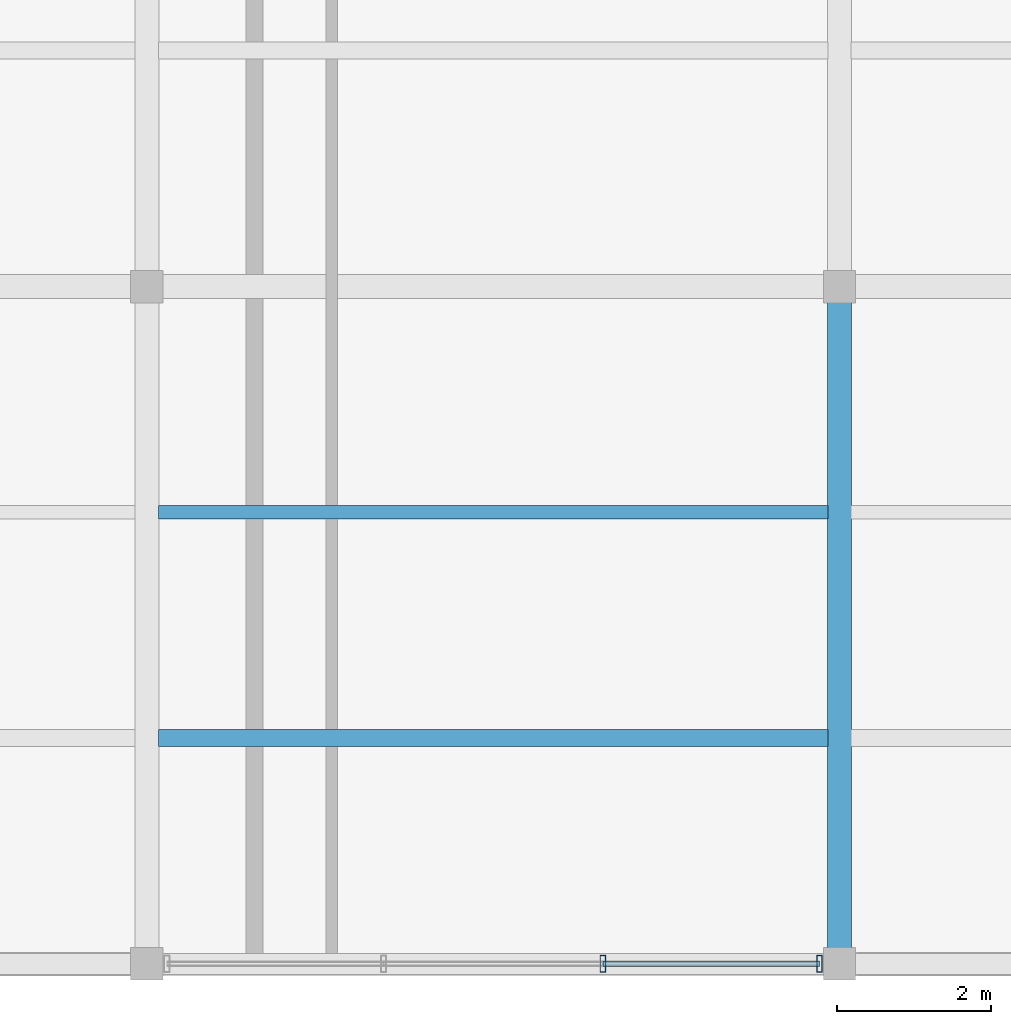
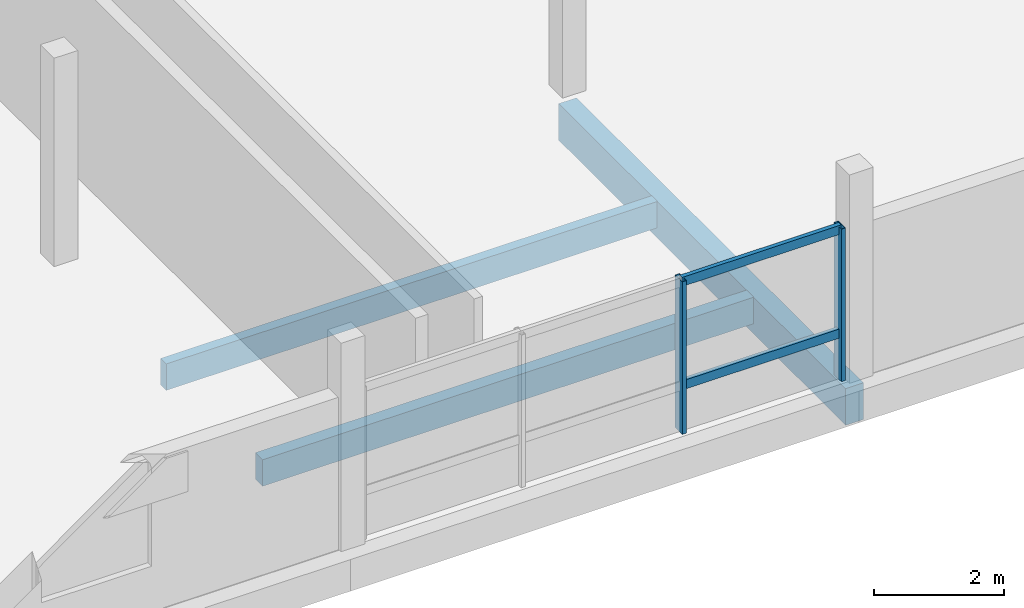
# One storey, part 10 of 47: 4 members, 3 beams, 1 element without a shape of its own.
"""IFC4 building model written with IfcOpenShell, lengths in metres."""

from ifc_helpers import new_model, si_unit, direction, frame, origin, origin_2d, place, context, subcontext, project, spatial, rectangle, hollow_rectangle, extrude, material, layer, layer_set, material_profile, profile_set, type_object, element, aggregate, save


model = new_model("IFC4")

# Units and contexts
model_context = context("Model", 3, precision=1e-05, world=origin(), true_north=direction((0.0, 1.0)))
body_context = subcontext(model_context, "Body", "Model", "MODEL_VIEW")
ifc_project = project(units=[si_unit("LENGTHUNIT", "METRE"), si_unit("AREAUNIT", "SQUARE_METRE"), si_unit("VOLUMEUNIT", "CUBIC_METRE"), si_unit("PLANEANGLEUNIT", "RADIAN"), si_unit("MASSUNIT", "GRAM", prefix="KILO")], contexts=[model_context])

# Site, building, storey
site_placement = place(None, origin())
site = spatial("IfcSite", under=ifc_project, at=site_placement, CompositionType="ELEMENT")
building_placement = place(site_placement, origin())
building = spatial("IfcBuilding", under=site, at=building_placement, Name="Meriwether Solvik Hall", CompositionType="ELEMENT")
storey_placement = place(building_placement, frame((0.0, 0.0, 18.300048828125)))
storey = spatial("IfcBuildingStorey", under=building, at=storey_placement, Name="L04", CompositionType="ELEMENT", Elevation=18.300048828125)

# Beam
ifc_material_1 = material(Name="Glulam Douglas-Fir 24F-V8 GL28h", Category="wood")
ifc_material_profile_1 = material_profile(ifc_material_1, rectangle(XDim=0.31494140625, YDim=0.68505859375, at=origin_2d()), Name="GLB-315X685")
ifc_profile_set_1 = profile_set([ifc_material_profile_1], Name="Glulam Douglas-Fir 24F-V8 GL28h")
beam_type_1 = type_object("IfcBeamType", Name="BM-GL-315X685", PredefinedType="BEAM", material=ifc_profile_set_1)
beam_1_placement = place(storey_placement, frame((95.800048828125, 5.199951171875, -0.587646484375), z_axis=(0.0, 1.0, 0.0), x_axis=(-1.0, 0.0, 0.0)))
element("IfcBeam", 1, at=beam_1_placement, inside=storey, type_object=beam_type_1, Name="Podium Girder 11:A-B (L04)", PredefinedType="BEAM", context=body_context, shape_type="SweptSolid", body=[
    extrude(rectangle(XDim=0.31494140625, YDim=0.68505859375, at=origin_2d()), origin(), (0.0, 0.0, 1.0), 8.800048828125),
])

# Curtain wall, members
ifc_material_2 = material(Name="Thermally Broken Anodised Aluminium 6063-T6 and Low-E Glass", Category="aluminium")
ifc_layer = layer(ifc_material_2, 0.179931640625)
ifc_layer_set = layer_set([ifc_layer], Name="Thermally Broken Anodised Aluminium 6063-T6 and Low-E Glass")
curtain_wall_type = type_object("IfcCurtainWallType", Name="CW-UNIT-E", PredefinedType="USERDEFINED", material=ifc_layer_set)
curtain_wall_placement = place(storey_placement, origin())
curtain_wall = element("IfcCurtainWall", 2, at=curtain_wall_placement, inside=storey, type_object=curtain_wall_type, Name="Curtain Wall wing_XA_10_3 (L04)", ObjectType="UNITISED CURTAIN WALL", PredefinedType="USERDEFINED")
ifc_material_3 = material(Name="Anodised Aluminium 6063-T6", Category="aluminium")
ifc_material_profile_2 = material_profile(ifc_material_3, hollow_rectangle(XDim=0.074951171875, YDim=0.219970703125, WallThickness=0.005615234375, at=origin_2d()), Name="CWM-75X220")
ifc_profile_set_2 = profile_set([ifc_material_profile_2], Name="Anodised Aluminium 6063-T6")
member_type_1 = type_object("IfcMemberType", Name="CW-MUL-75X220", PredefinedType="MULLION", material=ifc_profile_set_2)
member_1_placement = place(storey_placement, frame((95.5400390625, 5.199951171875, 0.0), z_axis=(0.0, 0.0, 1.0), x_axis=(-1.0, 0.0, 0.0)))
member_1 = element("IfcMember", 3, at=member_1_placement, type_object=member_type_1, Name="Curtain Wall Mullion 1", PredefinedType="MULLION", context=body_context, shape_type="SweptSolid", body=[
    extrude(hollow_rectangle(XDim=0.074951171875, YDim=0.219970703125, WallThickness=0.005615234375, at=origin_2d()), origin(), (0.0, 0.0, 1.0), 2.85498046875),
])
member_2_placement = place(storey_placement, frame((92.72607421875, 5.199951171875, 0.0), z_axis=(0.0, 0.0, 1.0), x_axis=(-1.0, 0.0, 0.0)))
member_2 = element("IfcMember", 4, at=member_2_placement, type_object=member_type_1, Name="Curtain Wall Mullion 2", PredefinedType="MULLION", context=body_context, shape_type="SweptSolid", body=[
    extrude(hollow_rectangle(XDim=0.074951171875, YDim=0.219970703125, WallThickness=0.005615234375, at=origin_2d()), origin(), (0.0, 0.0, 1.0), 2.85498046875),
])
ifc_material_4 = material(Name="Anodised Aluminium 6063-T6", Category="aluminium")
ifc_material_profile_3 = material_profile(ifc_material_4, hollow_rectangle(XDim=0.074951171875, YDim=0.169921875, WallThickness=0.005615234375, at=origin_2d()), Name="CWT-75X170")
ifc_profile_set_3 = profile_set([ifc_material_profile_3], Name="Anodised Aluminium 6063-T6")
member_type_2 = type_object("IfcMemberType", Name="CW-TRN-75X170", PredefinedType="USERDEFINED", material=ifc_profile_set_3)
member_3_placement = place(storey_placement, frame((95.5400390625, 5.199951171875, 0.8564453125), z_axis=(-1.0, 0.0, 0.0), x_axis=(0.0, -1.0, 0.0)))
member_3 = element("IfcMember", 5, at=member_3_placement, type_object=member_type_2, Name="Curtain Wall Transom 1-sill", ObjectType="TRANSOM", PredefinedType="USERDEFINED", context=body_context, shape_type="SweptSolid", body=[
    extrude(hollow_rectangle(XDim=0.074951171875, YDim=0.169921875, WallThickness=0.005615234375, at=origin_2d()), origin(), (0.0, 0.0, 1.0), 2.81396484375),
])
member_4_placement = place(storey_placement, frame((95.5400390625, 5.199951171875, 2.794921875), z_axis=(-1.0, 0.0, 0.0), x_axis=(0.0, -1.0, 0.0)))
member_4 = element("IfcMember", 6, at=member_4_placement, type_object=member_type_2, Name="Curtain Wall Transom 1-head", ObjectType="TRANSOM", PredefinedType="USERDEFINED", context=body_context, shape_type="SweptSolid", body=[
    extrude(hollow_rectangle(XDim=0.074951171875, YDim=0.169921875, WallThickness=0.005615234375, at=origin_2d()), origin(), (0.0, 0.0, 1.0), 2.81396484375),
])
aggregate(curtain_wall, [member_1, member_2, member_3, member_4])

# Beams
ifc_material_5 = material(Name="Glulam Douglas-Fir 24F-V8 GL28h", Category="wood")
ifc_material_profile_4 = material_profile(ifc_material_5, rectangle(XDim=0.175048828125, YDim=0.4951171875, at=origin_2d()), Name="GLJ-175X495")
ifc_profile_set_4 = profile_set([ifc_material_profile_4], Name="Glulam Douglas-Fir 24F-V8 GL28h")
beam_type_2 = type_object("IfcBeamType", Name="JST-GL-175X495", PredefinedType="JOIST", material=ifc_profile_set_4)
beam_2_placement = place(storey_placement, frame((86.952392578125, 11.066650390625, -0.492431640625), z_axis=(1.0, 0.0, 0.0), x_axis=(0.0, 1.0, 0.0)))
element("IfcBeam", 7, at=beam_2_placement, inside=storey, type_object=beam_type_2, Name="Secondary Floor Joist 10/A_J2 (L04)", PredefinedType="JOIST", context=body_context, shape_type="SweptSolid", body=[
    extrude(rectangle(XDim=0.175048828125, YDim=0.4951171875, at=origin_2d()), origin(), (0.0, 0.0, 1.0), 8.695068359375),
])
ifc_material_6 = material(Name="Glulam Douglas-Fir 24F-V8 GL28h", Category="wood")
ifc_material_profile_5 = material_profile(ifc_material_6, rectangle(XDim=0.221923828125, YDim=0.4951171875, at=origin_2d()), Name="GLJ-222X495")
ifc_profile_set_5 = profile_set([ifc_material_profile_5], Name="Glulam Douglas-Fir 24F-V8 GL28h")
beam_type_3 = type_object("IfcBeamType", Name="JST-GL-222X495", PredefinedType="JOIST", material=ifc_profile_set_5)
beam_3_placement = place(storey_placement, frame((86.952392578125, 8.13330078125, -0.492431640625), z_axis=(1.0, 0.0, 0.0), x_axis=(0.0, 1.0, 0.0)))
element("IfcBeam", 8, at=beam_3_placement, inside=storey, type_object=beam_type_3, Name="Secondary Floor Joist 10/A_J1 (L04)", PredefinedType="JOIST", context=body_context, shape_type="SweptSolid", body=[
    extrude(rectangle(XDim=0.221923828125, YDim=0.4951171875, at=origin_2d()), origin(), (0.0, 0.0, 1.0), 8.695068359375),
])

save(model, "model.ifc")
